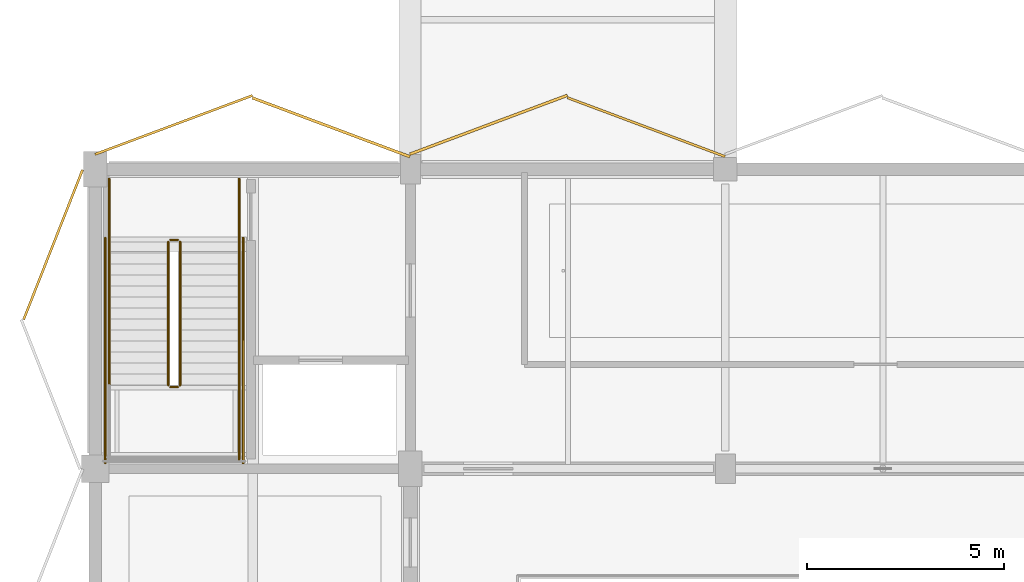
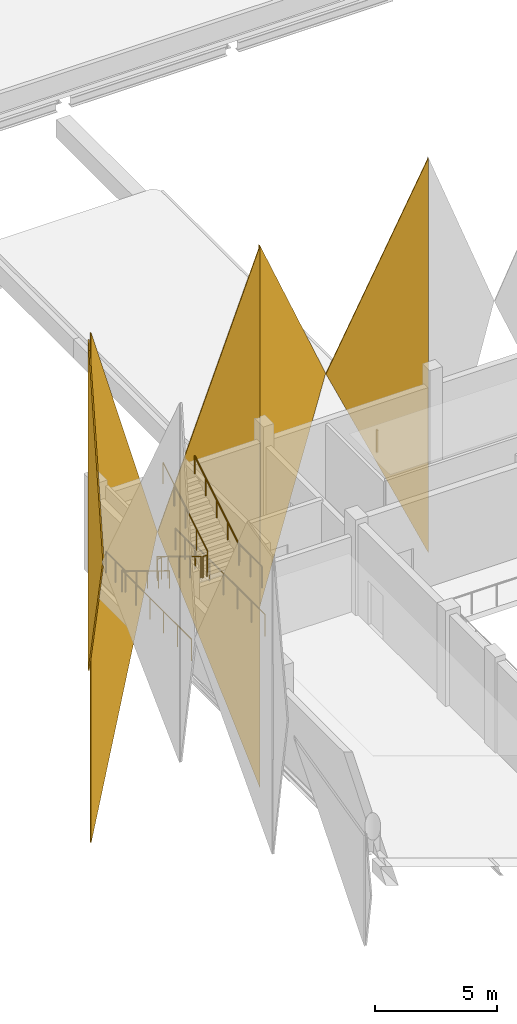
# One storey, part 101 of 107: 11 railings, 5 coverings.
"""IFC4 building model written with IfcOpenShell, lengths in metres."""

from ifc_helpers import new_model, si_unit, direction, frame, origin, origin_2d, place, context, subcontext, project, spatial, polyline, circle, outline, extrude, material, layer, layer_set, type_object, element, save


model = new_model("IFC4")

# Units and contexts
model_context = context("Model", 3, precision=1e-05, world=origin(), true_north=direction((0.0, 1.0)))
body_context = subcontext(model_context, "Body", "Model", "MODEL_VIEW")
ifc_project = project(units=[si_unit("LENGTHUNIT", "METRE"), si_unit("AREAUNIT", "SQUARE_METRE"), si_unit("VOLUMEUNIT", "CUBIC_METRE"), si_unit("PLANEANGLEUNIT", "RADIAN"), si_unit("MASSUNIT", "GRAM", prefix="KILO")], contexts=[model_context])

# Site, building, storey
site_placement = place(None, origin())
site = spatial("IfcSite", under=ifc_project, at=site_placement, CompositionType="ELEMENT")
building_placement = place(site_placement, origin())
building = spatial("IfcBuilding", under=site, at=building_placement, Name="Khelvaren Railside Concert Hall", CompositionType="ELEMENT")
storey_placement = place(building_placement, frame((0.0, 0.0, 15.0)))
storey = spatial("IfcBuildingStorey", under=building, at=storey_placement, Name="L03", CompositionType="ELEMENT", Elevation=15.0)

# Coverings
ifc_material_1 = material(Name="Precast architectural concrete C45/55", Category="concrete")
ifc_layer_1 = layer(ifc_material_1, 0.06005859375)
ifc_layer_set_1 = layer_set([ifc_layer_1], Name="Precast architectural concrete C45/55")
covering_type_1 = type_object("IfcCoveringType", Name="CLD31", PredefinedType="CLADDING", material=ifc_layer_set_1)
covering_1_placement = place(storey_placement, frame((0.0, 45.955078125, 11.800048828125), z_axis=(0.350070608968, -0.936723314932, 0.0), x_axis=(0.0, 0.0, -1.0)))
element("IfcCovering", 1, at=covering_1_placement, inside=storey, type_object=covering_type_1, Name="Main Hall Cut-Crystal Flank Facet N-1W", PredefinedType="CLADDING", context=body_context, shape_type="SweptSolid", body=[
    extrude(outline(polyline([(0.0, 0.0), (25.60009765625, 0.0), (12.2880859375, 4.270204377576482), (0.0, 0.0)])), origin(), (0.0, 0.0, -1.0), 0.06005859375),
])
covering_2_placement = place(storey_placement, frame((16.0, 45.955078125, 15.025634765625), z_axis=(0.350070608968, 0.936723314932, 0.0), x_axis=(0.0, 0.0, -1.0)))
element("IfcCovering", 2, at=covering_2_placement, inside=storey, type_object=covering_type_1, Name="Main Hall Cut-Crystal Flank Facet N-2E", PredefinedType="CLADDING", context=body_context, shape_type="SweptSolid", body=[
    extrude(outline(polyline([(0.0, 0.0), (19.82568359375, 0.0), (10.35498046875, 4.270204377576482), (0.0, 0.0)])), origin(), (0.0, 0.0, -1.0), 0.06005859375),
])
covering_3_placement = place(storey_placement, frame((-0.35498046875, 45.60009765625, 11.800048828125), z_axis=(-0.930564616009, 0.366127703722, 0.0), x_axis=(0.0, 0.0, -1.0)))
element("IfcCovering", 3, at=covering_3_placement, inside=storey, type_object=covering_type_1, Name="Main Hall Cut-Crystal West Flank Facet 6N", PredefinedType="CLADDING", context=body_context, shape_type="SweptSolid", body=[
    extrude(outline(polyline([(0.0, 0.0), (16.60009765625, 0.0), (8.300048828125, 4.083594801212786), (0.0, 0.0)])), origin(), (0.0, 0.0, -1.0), 0.06005859375),
])
ifc_material_2 = material(Name="Board-marked precast concrete C45/55", Category="concrete")
ifc_layer_2 = layer(ifc_material_2, 0.070068359375)
ifc_layer_set_2 = layer_set([ifc_layer_2], Name="Board-marked precast concrete C45/55")
covering_type_2 = type_object("IfcCoveringType", Name="CLD68", PredefinedType="CLADDING", material=ifc_layer_set_2)
covering_4_placement = place(storey_placement, frame((8.0, 45.955078125, 13.412841796875), z_axis=(0.350070608968, 0.936723314932, 0.0), x_axis=(0.0, 0.0, -1.0)))
element("IfcCovering", 4, at=covering_4_placement, inside=storey, type_object=covering_type_2, Name="Main Hall Cut-Crystal Flank Facet N-1E", PredefinedType="CLADDING", context=body_context, shape_type="SweptSolid", body=[
    extrude(outline(polyline([(0.0, 0.0), (27.212890625, 0.0), (13.90087890625, 4.270204377576482), (0.0, 0.0)])), origin(), (0.0, 0.0, -1.0), 0.070068359375),
])
covering_5_placement = place(storey_placement, frame((8.0, 45.955078125, 13.412841796875), z_axis=(0.350070608968, -0.936723314932, 0.0), x_axis=(0.0, 0.0, -1.0)))
element("IfcCovering", 5, at=covering_5_placement, inside=storey, type_object=covering_type_2, Name="Main Hall Cut-Crystal Flank Facet N-2W", PredefinedType="CLADDING", context=body_context, shape_type="SweptSolid", body=[
    extrude(outline(polyline([(0.0, 0.0), (18.212890625, 0.0), (8.7421875, 4.270204377576482), (0.0, 0.0)])), origin(), (0.0, 0.0, -1.0), 0.070068359375),
])

# Railings
ifc_material_3 = material(Name="Painted architectural steel", Category="steel")
railing_type_1 = type_object("IfcRailingType", Name="GRD86", PredefinedType="GUARDRAIL", material=ifc_material_3)
railing_1_placement = place(storey_placement, frame((1.85009765625, 43.760009765625, 0.17138671875)))
element("IfcRailing", 6, at=railing_1_placement, inside=storey, type_object=railing_type_1, Name="L03 ST-11 stair guard 1", PredefinedType="GUARDRAIL", context=body_context, shape_type="SweptSolid", body=[
    extrude(circle(Radius=0.02392578125, at=origin_2d()), frame((0.0, 0.0, 1.076171875), z_axis=(0.0, -0.852850264322, 0.5221555579), x_axis=(1.0, 0.0, 0.0)), (0.0, 0.0, 1.0), 4.267822265625),
    extrude(circle(Radius=0.02099609375, at=origin_2d()), origin(), (0.0, 0.0, 1.0), 1.052001953125),
    extrude(circle(Radius=0.02099609375, at=origin_2d()), frame((0.0, -0.909912109375, 0.55712890625)), (0.0, 0.0, 1.0), 1.052001953125),
    extrude(circle(Radius=0.02099609375, at=origin_2d()), frame((0.0, -1.81982421875, 1.1142578125)), (0.0, 0.0, 1.0), 1.052001953125),
    extrude(circle(Radius=0.02099609375, at=origin_2d()), frame((0.0, -2.72998046875, 1.67138671875)), (0.0, 0.0, 1.0), 1.052001953125),
    extrude(circle(Radius=0.02099609375, at=origin_2d()), frame((0.0, -3.639892578125, 2.228515625)), (0.0, 0.0, 1.0), 1.052001953125),
])
railing_2_placement = place(storey_placement, frame((1.89990234375, 40.070068359375, 2.39990234375)))
element("IfcRailing", 7, at=railing_2_placement, inside=storey, type_object=railing_type_1, Name="L03 ST-11 stair guard 2", PredefinedType="GUARDRAIL", context=body_context, shape_type="SweptSolid", body=[
    extrude(circle(Radius=0.02392578125, at=origin_2d()), frame((0.0, 0.0, 1.076171875), z_axis=(1.0, 0.0, 0.0), x_axis=(0.0, 1.0, 0.0)), (0.0, 0.0, 1.0), 0.2001953125),
    extrude(circle(Radius=0.02099609375, at=origin_2d()), origin(), (0.0, 0.0, 1.0), 1.052001953125),
    extrude(circle(Radius=0.02099609375, at=origin_2d()), frame((0.2001953125, 0.0, 0.0)), (0.0, 0.0, 1.0), 1.052001953125),
])
railing_3_placement = place(storey_placement, frame((3.64990234375, 40.1201171875, 2.39990234375)))
element("IfcRailing", 8, at=railing_3_placement, inside=storey, type_object=railing_type_1, Name="L03 ST-11 stair guard 4", PredefinedType="GUARDRAIL", context=body_context, shape_type="SweptSolid", body=[
    extrude(circle(Radius=0.02392578125, at=origin_2d()), frame((0.0, 0.0, 1.076171875), z_axis=(0.0, -1.0, 0.0), x_axis=(1.0, 0.0, 0.0)), (0.0, 0.0, 1.0), 1.880126953125),
    extrude(circle(Radius=0.02099609375, at=origin_2d()), origin(), (0.0, 0.0, 1.0), 1.052001953125),
    extrude(circle(Radius=0.02099609375, at=origin_2d()), frame((0.0, -0.93994140625, 0.0)), (0.0, 0.0, 1.0), 1.052001953125),
    extrude(circle(Radius=0.02099609375, at=origin_2d()), frame((0.0, -1.880126953125, 0.0)), (0.0, 0.0, 1.0), 1.052001953125),
])
railing_4_placement = place(storey_placement, frame((2.14990234375, 40.1201171875, 2.571533203125)))
element("IfcRailing", 9, at=railing_4_placement, inside=storey, type_object=railing_type_1, Name="L03 ST-11 stair guard 6", PredefinedType="GUARDRAIL", context=body_context, shape_type="SweptSolid", body=[
    extrude(circle(Radius=0.02392578125, at=origin_2d()), frame((0.0, 0.0, 1.076171875), z_axis=(0.0, 0.852850264322, 0.5221555579), x_axis=(-1.0, 0.0, 0.0)), (0.0, 0.0, 1.0), 4.267822265625),
    extrude(circle(Radius=0.02099609375, at=origin_2d()), origin(), (0.0, 0.0, 1.0), 1.052001953125),
    extrude(circle(Radius=0.02099609375, at=origin_2d()), frame((0.0, 0.909912109375, 0.55712890625)), (0.0, 0.0, 1.0), 1.052001953125),
    extrude(circle(Radius=0.02099609375, at=origin_2d()), frame((0.0, 1.81982421875, 1.1142578125)), (0.0, 0.0, 1.0), 1.052001953125),
    extrude(circle(Radius=0.02099609375, at=origin_2d()), frame((0.0, 2.72998046875, 1.67138671875)), (0.0, 0.0, 1.0), 1.052001953125),
    extrude(circle(Radius=0.02099609375, at=origin_2d()), frame((0.0, 3.639892578125, 2.228515625)), (0.0, 0.0, 1.0), 1.052001953125),
])
railing_5_placement = place(storey_placement, frame((1.89990234375, 43.81005859375, 0.0)))
element("IfcRailing", 10, at=railing_5_placement, inside=storey, type_object=railing_type_1, Name="L03 ST-11 stair guard 7", PredefinedType="GUARDRAIL", context=body_context, shape_type="SweptSolid", body=[
    extrude(circle(Radius=0.02392578125, at=origin_2d()), frame((0.0, 0.0, 1.076171875), z_axis=(1.0, 0.0, 0.0), x_axis=(0.0, 1.0, 0.0)), (0.0, 0.0, 1.0), 0.2001953125),
    extrude(circle(Radius=0.02099609375, at=origin_2d()), origin(), (0.0, 0.0, 1.0), 1.052001953125),
    extrude(circle(Radius=0.02099609375, at=origin_2d()), frame((0.2001953125, 0.0, 0.0)), (0.0, 0.0, 1.0), 1.052001953125),
])
for number, where, name in (
    (11, (0.35009765625, 45.360107421875, 0.0), "L03 ST-11 stair guard 8"),
    (12, (3.64990234375, 45.360107421875, 0.0), "L03 ST-11 stair guard 9"),
):
    element("IfcRailing", number, at=place(storey_placement, frame(where)), inside=storey, type_object=railing_type_1, Name=name, PredefinedType="GUARDRAIL", context=body_context, shape_type="SweptSolid", body=[
        extrude(circle(Radius=0.02392578125, at=origin_2d()), frame((0.0, 0.0, 1.076171875), z_axis=(0.0, -1.0, 0.0), x_axis=(1.0, 0.0, 0.0)), (0.0, 0.0, 1.0), 1.60009765625),
        extrude(circle(Radius=0.02099609375, at=origin_2d()), origin(), (0.0, 0.0, 1.0), 1.052001953125),
        extrude(circle(Radius=0.02099609375, at=origin_2d()), frame((0.0, -0.800048828125, 0.0)), (0.0, 0.0, 1.0), 1.052001953125),
        extrude(circle(Radius=0.02099609375, at=origin_2d()), frame((0.0, -1.60009765625, 0.0)), (0.0, 0.0, 1.0), 1.052001953125),
    ])
for number, where, name in (
    (13, (0.25, 43.860107421875, 0.0), "L03 ST-11 stair guard 10"),
    (14, (3.75, 43.860107421875, 0.0), "L03 ST-11 stair guard 11"),
):
    element("IfcRailing", number, at=place(storey_placement, frame(where)), inside=storey, type_object=railing_type_1, Name=name, PredefinedType="GUARDRAIL", context=body_context, shape_type="SweptSolid", body=[
        extrude(circle(Radius=0.02392578125, at=origin_2d()), frame((0.0, 0.0, 1.076171875), z_axis=(0.0, -1.0, 0.0), x_axis=(1.0, 0.0, 0.0)), (0.0, 0.0, 1.0), 5.72021484375),
        extrude(circle(Radius=0.02099609375, at=origin_2d()), origin(), (0.0, 0.0, 1.0), 1.052001953125),
        extrude(circle(Radius=0.02099609375, at=origin_2d()), frame((0.0, -1.14404296875, 0.0)), (0.0, 0.0, 1.0), 1.052001953125),
        extrude(circle(Radius=0.02099609375, at=origin_2d()), frame((0.0, -2.2880859375, 0.0)), (0.0, 0.0, 1.0), 1.052001953125),
        extrude(circle(Radius=0.02099609375, at=origin_2d()), frame((0.0, -3.43212890625, 0.0)), (0.0, 0.0, 1.0), 1.052001953125),
        extrude(circle(Radius=0.02099609375, at=origin_2d()), frame((0.0, -4.576171875, 0.0)), (0.0, 0.0, 1.0), 1.052001953125),
        extrude(circle(Radius=0.02099609375, at=origin_2d()), frame((0.0, -5.72021484375, 0.0)), (0.0, 0.0, 1.0), 1.052001953125),
    ])
ifc_material_4 = material(Name="Brushed stainless steel Grade 316", Category="steel")
railing_type_2 = type_object("IfcRailingType", Name="HRL59", PredefinedType="HANDRAIL", material=ifc_material_4)
railing_6_placement = place(storey_placement, frame((0.35009765625, 43.760009765625, 0.17138671875)))
element("IfcRailing", 15, at=railing_6_placement, inside=storey, type_object=railing_type_2, Name="L03 ST-11 stair handrail 1", PredefinedType="HANDRAIL", context=body_context, shape_type="SweptSolid", body=[
    extrude(circle(Radius=0.02392578125, at=origin_2d()), frame((0.0, 0.0, 0.8759765625), z_axis=(0.0, -0.852850264322, 0.5221555579), x_axis=(1.0, 0.0, 0.0)), (0.0, 0.0, 1.0), 4.267822265625),
    extrude(circle(Radius=0.02099609375, at=origin_2d()), origin(), (0.0, 0.0, 1.0), 0.851806640625),
    extrude(circle(Radius=0.02099609375, at=origin_2d()), frame((0.0, -0.909912109375, 0.55712890625)), (0.0, 0.0, 1.0), 0.851806640625),
    extrude(circle(Radius=0.02099609375, at=origin_2d()), frame((0.0, -1.81982421875, 1.1142578125)), (0.0, 0.0, 1.0), 0.851806640625),
    extrude(circle(Radius=0.02099609375, at=origin_2d()), frame((0.0, -2.72998046875, 1.67138671875)), (0.0, 0.0, 1.0), 0.851806640625),
    extrude(circle(Radius=0.02099609375, at=origin_2d()), frame((0.0, -3.639892578125, 2.228515625)), (0.0, 0.0, 1.0), 0.851806640625),
])
railing_7_placement = place(storey_placement, frame((3.64990234375, 40.1201171875, 2.571533203125)))
element("IfcRailing", 16, at=railing_7_placement, inside=storey, type_object=railing_type_2, Name="L03 ST-11 stair handrail 2", PredefinedType="HANDRAIL", context=body_context, shape_type="SweptSolid", body=[
    extrude(circle(Radius=0.02392578125, at=origin_2d()), frame((0.0, 0.0, 0.8759765625), z_axis=(0.0, 0.852850264322, 0.5221555579), x_axis=(-1.0, 0.0, 0.0)), (0.0, 0.0, 1.0), 4.267822265625),
    extrude(circle(Radius=0.02099609375, at=origin_2d()), origin(), (0.0, 0.0, 1.0), 0.851806640625),
    extrude(circle(Radius=0.02099609375, at=origin_2d()), frame((0.0, 0.909912109375, 0.55712890625)), (0.0, 0.0, 1.0), 0.851806640625),
    extrude(circle(Radius=0.02099609375, at=origin_2d()), frame((0.0, 1.81982421875, 1.1142578125)), (0.0, 0.0, 1.0), 0.851806640625),
    extrude(circle(Radius=0.02099609375, at=origin_2d()), frame((0.0, 2.72998046875, 1.67138671875)), (0.0, 0.0, 1.0), 0.851806640625),
    extrude(circle(Radius=0.02099609375, at=origin_2d()), frame((0.0, 3.639892578125, 2.228515625)), (0.0, 0.0, 1.0), 0.851806640625),
])

save(model, "model.ifc")
